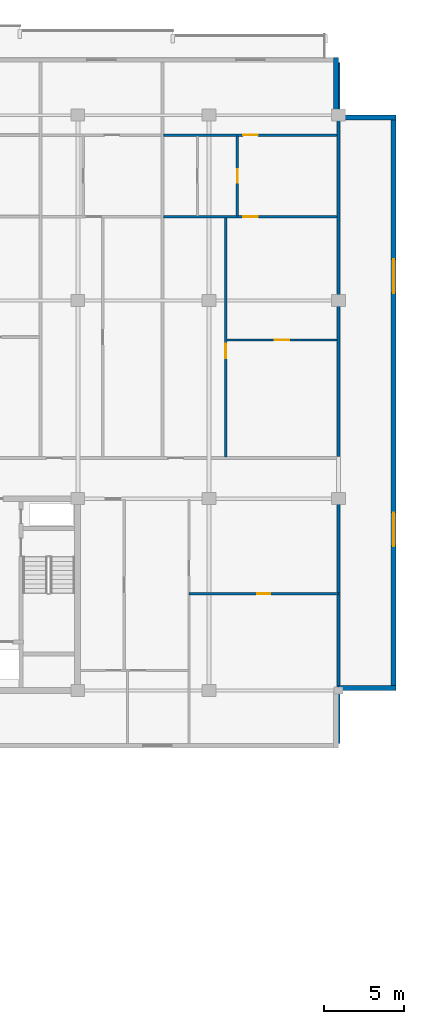
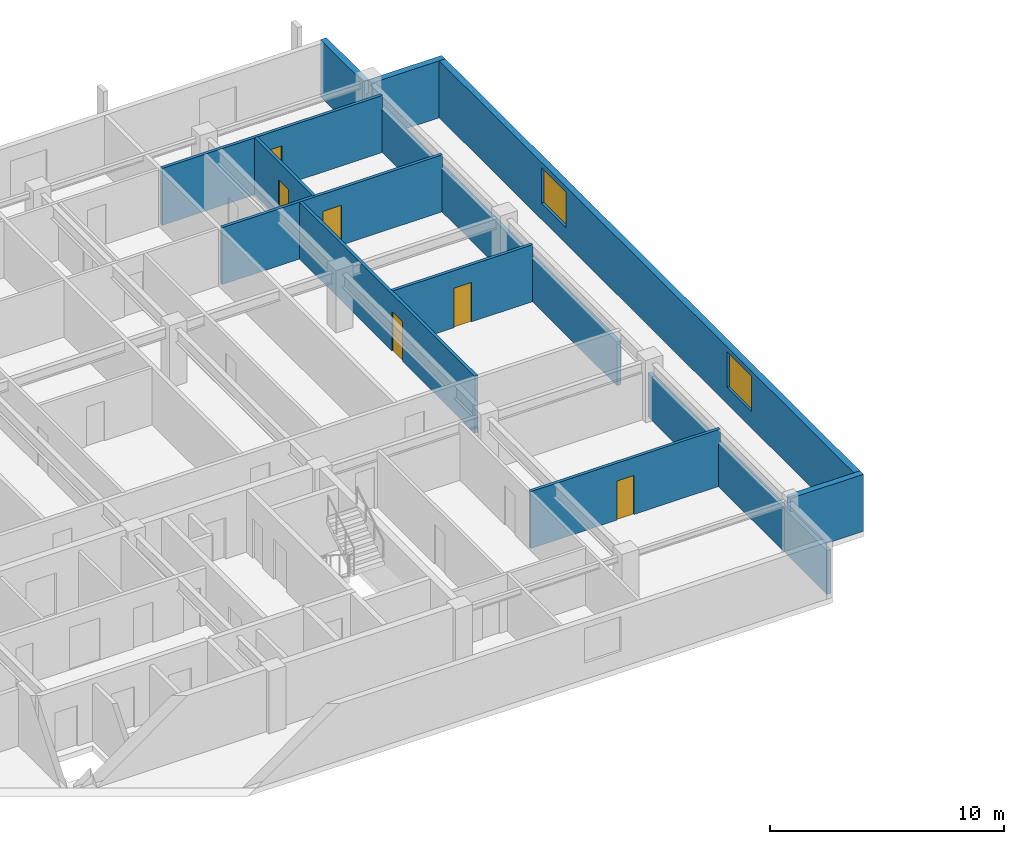
# One storey, part 15 of 21: 12 walls, 6 doors, 2 windows, 8 openings.
"""IFC4 building model written with IfcOpenShell, lengths in metres."""

from ifc_helpers import new_model, si_unit, direction, frame, frame_2d, origin, place, context, subcontext, project, spatial, rectangle, extrude, material, layer, layer_set, type_object, element, fill, save


model = new_model("IFC4")

# Units and contexts
model_context = context("Model", 3, precision=1e-05, world=origin(), true_north=direction((0.0, 1.0)))
body_context = subcontext(model_context, "Body", "Model", "MODEL_VIEW")
ifc_project = project(units=[si_unit("LENGTHUNIT", "METRE"), si_unit("AREAUNIT", "SQUARE_METRE"), si_unit("VOLUMEUNIT", "CUBIC_METRE"), si_unit("PLANEANGLEUNIT", "RADIAN"), si_unit("MASSUNIT", "GRAM", prefix="KILO")], contexts=[model_context])

# Site, building, storey
site_placement = place(None, origin())
site = spatial("IfcSite", under=ifc_project, at=site_placement, CompositionType="ELEMENT")
building_placement = place(site_placement, origin())
building = spatial("IfcBuilding", under=site, at=building_placement, Name="Korimba Cascade Residences", CompositionType="ELEMENT")
storey_placement = place(building_placement, frame((0.0, 0.0, 171.85009765625)))
storey = spatial("IfcBuildingStorey", under=building, at=storey_placement, Name="L49", CompositionType="ELEMENT", Elevation=171.85009765625)

# Wall
ifc_material_1 = material(Name="Precast concrete C40/50", Category="concrete")
ifc_layer_1 = layer(ifc_material_1, 0.300048828125)
ifc_layer_set_1 = layer_set([ifc_layer_1], Name="Precast concrete C40/50")
wall_type_1 = type_object("IfcWallType", Name="EW-STONE-300", PredefinedType="STANDARD", material=ifc_layer_set_1)
wall_1_placement = place(storey_placement, frame((128.39990234375, 55.35009765625, 0.0), z_axis=(0.0, 0.0, 1.0), x_axis=(1.0, 0.0, 0.0)))
element("IfcWall", 1, at=wall_1_placement, inside=storey, type_object=wall_type_1, Name="L49 T1 Perimeter Stone Wall E02", PredefinedType="STANDARD", context=body_context, shape_type="SweptSolid", body=[
    extrude(rectangle(XDim=3.60009765625, YDim=0.300048828125, at=frame_2d((1.800048828125, 0.0))), origin(), (0.0, 0.0, 1.0), 2.969970703125),
])

# Wall, openings, windows
wall_2_placement = place(storey_placement, frame((131.85009765625, 55.199951171875, 0.0), z_axis=(0.0, 0.0, 1.0), x_axis=(0.0, 1.0, 0.0)))
wall_2 = element("IfcWall", 2, at=wall_2_placement, inside=storey, type_object=wall_type_1, Name="L49 T1 Perimeter Stone Wall E03", PredefinedType="STANDARD", context=body_context, shape_type="SweptSolid", body=[
    extrude(rectangle(XDim=36.0, YDim=0.300048828125, at=frame_2d((18.0, 0.0))), origin(), (0.0, 0.0, 1.0), 2.969970703125),
])
opening_1_placement = place(wall_2_placement, frame((9.030029296875, 0.0, 0.85009765625)))
opening_1 = element("IfcOpeningElement", 3, at=opening_1_placement, cuts=wall_2, Name="Opening W-03", PredefinedType="OPENING", context=body_context, shape_type="SweptSolid", body=[
    extrude(rectangle(XDim=2.10009765625, YDim=1.85009765625, at=frame_2d((1.050048828125, 0.925048828125))), frame((0.0, 0.16015625, 0.0), z_axis=(0.0, -1.0, 0.0), x_axis=(1.0, 0.0, 0.0)), (0.0, 0.0, 1.0), 0.320068359375),
])
opening_2_placement = place(wall_2_placement, frame((24.8701171875, 0.0, 0.85009765625)))
opening_2 = element("IfcOpeningElement", 4, at=opening_2_placement, cuts=wall_2, Name="Opening W-03", PredefinedType="OPENING", context=body_context, shape_type="SweptSolid", body=[
    extrude(rectangle(XDim=2.10009765625, YDim=1.85009765625, at=frame_2d((1.050048828125, 0.925048828125))), frame((0.0, 0.16015625, 0.0), z_axis=(0.0, -1.0, 0.0), x_axis=(1.0, 0.0, 0.0)), (0.0, 0.0, 1.0), 0.320068359375),
])
ifc_material_2 = material(Name="Double-Glazed Aluminium Window", Category="aluminium")
window_type = type_object("IfcWindowType", Name="WIN-CRN-2100", PartitioningType="DOUBLE_PANEL_HORIZONTAL", PredefinedType="WINDOW", material=ifc_material_2)
window_1_placement = place(opening_1_placement, origin())
window_1 = element("IfcWindow", 5, at=window_1_placement, inside=storey, type_object=window_type, Name="L49 T1 End View Window 3.1", OverallHeight=1.85009765625, OverallWidth=2.10009765625, PartitioningType="DOUBLE_PANEL_HORIZONTAL", PredefinedType="WINDOW", context=body_context, shape_type="SweptSolid", body=[
    extrude(rectangle(XDim=2.10009765625, YDim=1.85009765625, at=frame_2d((1.050048828125, 0.925048828125))), frame((0.0, 0.030029296875, 0.0), z_axis=(0.0, -1.0, 0.0), x_axis=(1.0, 0.0, 0.0)), (0.0, 0.0, 1.0), 0.06005859375),
])
fill(opening_1, window_1)
window_2_placement = place(opening_2_placement, origin())
window_2 = element("IfcWindow", 6, at=window_2_placement, inside=storey, type_object=window_type, Name="L49 T1 End View Window 3.2", OverallHeight=1.85009765625, OverallWidth=2.10009765625, PartitioningType="DOUBLE_PANEL_HORIZONTAL", PredefinedType="WINDOW", context=body_context, shape_type="SweptSolid", body=[
    extrude(rectangle(XDim=2.10009765625, YDim=1.85009765625, at=frame_2d((1.050048828125, 0.925048828125))), frame((0.0, 0.030029296875, 0.0), z_axis=(0.0, -1.0, 0.0), x_axis=(1.0, 0.0, 0.0)), (0.0, 0.0, 1.0), 0.06005859375),
])
fill(opening_2, window_2)

# Walls
for number, where, z_axis, x_axis, name in (
    (7, (132.0, 91.050048828125, 0.0), (0.0, 0.0, 1.0), (-1.0, 0.0, 0.0), "L49 T1 Perimeter Stone Wall E04"),
    (8, (128.25, 91.199951171875, 0.0), (0.0, 0.0, 1.0), (0.0, 1.0, 0.0), "L49 T1 Perimeter Stone Wall E05"),
):
    element("IfcWall", number, at=place(storey_placement, frame(where, z_axis=z_axis, x_axis=x_axis)), inside=storey, type_object=wall_type_1, Name=name, PredefinedType="STANDARD", context=body_context, shape_type="SweptSolid", body=[
        extrude(rectangle(XDim=3.60009765625, YDim=0.300048828125, at=frame_2d((1.800048828125, 0.0))), origin(), (0.0, 0.0, 1.0), 2.969970703125),
    ])
ifc_layer_2 = layer(ifc_material_1, 0.199951171875)
ifc_layer_set_2 = layer_set([ifc_layer_2], Name="Precast concrete C40/50")
wall_type_2 = type_object("IfcWallType", Name="WAL-IT-200", PredefinedType="PARTITIONING", material=ifc_layer_set_2)
wall_3_placement = place(storey_placement, frame((128.39990234375, 51.89990234375, 0.0), z_axis=(0.0, 0.0, 1.0), x_axis=(0.0, 1.0, 0.0)))
element("IfcWall", 9, at=wall_3_placement, inside=storey, type_object=wall_type_2, Name="L49 Partition Wall WAL-L49-T1-FE-WR", PredefinedType="PARTITIONING", context=body_context, shape_type="SweptSolid", body=[
    extrude(rectangle(XDim=15.300048828125, YDim=0.199951171875, at=frame_2d((7.64990234375, 0.0))), origin(), (0.0, 0.0, 1.0), 2.277099609375),
])
wall_4_placement = place(storey_placement, frame((128.39990234375, 69.830078125, 0.0), z_axis=(0.0, 0.0, 1.0), x_axis=(0.0, 1.0, 0.0)))
element("IfcWall", 10, at=wall_4_placement, inside=storey, type_object=wall_type_2, Name="L49 Partition Wall WAL-L49-T1-BNDWR", PredefinedType="PARTITIONING", context=body_context, shape_type="SweptSolid", body=[
    extrude(rectangle(XDim=24.669921875, YDim=0.199951171875, at=frame_2d((12.3349609375, 0.0))), origin(), (0.0, 0.0, 1.0), 2.277099609375),
])

# Wall, opening, door
ifc_material_3 = material(Name="Insulated Acoustic Stud Partition", Category="gypsum")
ifc_layer_3 = layer(ifc_material_3, 0.14990234375)
ifc_layer_set_3 = layer_set([ifc_layer_3], Name="Insulated Acoustic Stud Partition")
wall_type_3 = type_object("IfcWallType", Name="WAL-PART-150", PredefinedType="PARTITIONING", material=ifc_layer_set_3)
wall_5_placement = place(storey_placement, frame((119.050048828125, 61.25, 0.0), z_axis=(0.0, 0.0, 1.0), x_axis=(1.0, 0.0, 0.0)))
wall_5 = element("IfcWall", 11, at=wall_5_placement, inside=storey, type_object=wall_type_3, Name="L49 Partition Wall WAL-L49-T1-FE-STH", PredefinedType="PARTITIONING", context=body_context, shape_type="SweptSolid", body=[
    extrude(rectangle(XDim=9.349853515625, YDim=0.14990234375, at=frame_2d((4.6748046875, 0.0))), origin(), (0.0, 0.0, 1.0), 2.969970703125),
])
opening_3_placement = place(wall_5_placement, frame((4.2548828125, 0.0, 0.0)))
opening_3 = element("IfcOpeningElement", 12, at=opening_3_placement, cuts=wall_5, Name="Opening D-BT1", PredefinedType="OPENING", context=body_context, shape_type="SweptSolid", body=[
    extrude(rectangle(XDim=0.840087890625, YDim=2.0400390625, at=frame_2d((0.419921875, 1.02001953125))), frame((0.0, 0.0849609375, 0.0), z_axis=(0.0, -1.0, 0.0), x_axis=(1.0, 0.0, 0.0)), (0.0, 0.0, 1.0), 0.169921875),
])
ifc_material_4 = material(Name="Moisture-Resistant Bathroom Timber Door", Category="wood")
door_type_1 = type_object("IfcDoorType", Name="DR-INT-850", OperationType="NOTDEFINED", PredefinedType="DOOR", material=ifc_material_4)
door_1_placement = place(opening_3_placement, origin())
door_1 = element("IfcDoor", 13, at=door_1_placement, inside=storey, type_object=door_type_1, Name="L49-T1-FE Dressing Store Door", OperationType="SINGLE_SWING_LEFT", OverallHeight=2.0400390625, OverallWidth=0.840087890625, PredefinedType="DOOR", context=body_context, shape_type="SweptSolid", body=[
    extrude(rectangle(XDim=0.840087890625, YDim=2.0400390625, at=frame_2d((0.419921875, 1.02001953125))), frame((0.0, 0.02490234375, 0.0), z_axis=(0.0, -1.0, 0.0), x_axis=(1.0, 0.0, 0.0)), (0.0, 0.0, 1.0), 0.050048828125),
])
fill(opening_3, door_1)

wall_6_placement = place(storey_placement, frame((121.413818359375, 77.1298828125, 0.0), z_axis=(0.0, 0.0, 1.0), x_axis=(1.0, 0.0, 0.0)))
wall_6 = element("IfcWall", 14, at=wall_6_placement, inside=storey, type_object=wall_type_3, Name="L49 Partition Wall WAL-L49-T1-U06-FMH", PredefinedType="PARTITIONING", context=body_context, shape_type="SweptSolid", body=[
    extrude(rectangle(XDim=6.90625, YDim=0.14990234375, at=frame_2d((3.453125, 0.0))), origin(), (0.0, 0.0, 1.0), 2.969970703125),
])
opening_4_placement = place(wall_6_placement, frame((3.012939453125, 0.0, 0.0)))
opening_4 = element("IfcOpeningElement", 15, at=opening_4_placement, cuts=wall_6, Name="Opening D-IN2", PredefinedType="OPENING", context=body_context, shape_type="SweptSolid", body=[
    extrude(rectangle(XDim=0.8798828125, YDim=2.06005859375, at=frame_2d((0.43994140625, 1.030029296875))), frame((0.0, 0.0849609375, 0.0), z_axis=(0.0, -1.0, 0.0), x_axis=(1.0, 0.0, 0.0)), (0.0, 0.0, 1.0), 0.169921875),
])
ifc_material_5 = material(Name="Acoustic Timber Bedroom Door", Category="wood")
door_type_2 = type_object("IfcDoorType", Name="DR-INT-880", OperationType="NOTDEFINED", PredefinedType="DOOR", material=ifc_material_5)
door_2_placement = place(opening_4_placement, origin())
door_2 = element("IfcDoor", 16, at=door_2_placement, inside=storey, type_object=door_type_2, Name="L49-T1-U06 Library Salon Door", OperationType="SINGLE_SWING_RIGHT", OverallHeight=2.06005859375, OverallWidth=0.8798828125, PredefinedType="DOOR", context=body_context, shape_type="SweptSolid", body=[
    extrude(rectangle(XDim=0.8798828125, YDim=2.06005859375, at=frame_2d((0.43994140625, 1.030029296875))), frame((0.0, 0.02490234375, 0.0), z_axis=(0.0, -1.0, 0.0), x_axis=(1.0, 0.0, 0.0)), (0.0, 0.0, 1.0), 0.050048828125),
])
fill(opening_4, door_2)

wall_7_placement = place(storey_placement, frame((121.35400390625, 69.81005859375, 0.0), z_axis=(0.0, 0.0, 1.0), x_axis=(0.0, 1.0, 0.0)))
wall_7 = element("IfcWall", 17, at=wall_7_placement, inside=storey, type_object=wall_type_3, Name="L49 Partition Wall WAL-L49-T1-U06-FV", PredefinedType="PARTITIONING", context=body_context, shape_type="SweptSolid", body=[
    extrude(rectangle(XDim=15.0, YDim=0.14990234375, at=frame_2d((7.5, 0.0))), origin(), (0.0, 0.0, 1.0), 2.969970703125),
])
opening_5_placement = place(wall_7_placement, frame((6.18994140625, 0.0, 0.0)))
opening_5 = element("IfcOpeningElement", 18, at=opening_5_placement, cuts=wall_7, Name="Opening D-IN2", PredefinedType="OPENING", context=body_context, shape_type="SweptSolid", body=[
    extrude(rectangle(XDim=0.8798828125, YDim=2.06005859375, at=frame_2d((0.43994140625, 1.030029296875))), frame((0.0, 0.0849609375, 0.0), z_axis=(0.0, -1.0, 0.0), x_axis=(1.0, 0.0, 0.0)), (0.0, 0.0, 1.0), 0.169921875),
])
door_3_placement = place(opening_5_placement, origin())
door_3 = element("IfcDoor", 19, at=door_3_placement, inside=storey, type_object=door_type_2, Name="L49-T1-U06 Media Lounge Door", OperationType="SINGLE_SWING_LEFT", OverallHeight=2.06005859375, OverallWidth=0.8798828125, PredefinedType="DOOR", context=body_context, shape_type="SweptSolid", body=[
    extrude(rectangle(XDim=0.8798828125, YDim=2.06005859375, at=frame_2d((0.43994140625, 1.030029296875))), frame((0.0, 0.02490234375, 0.0), z_axis=(0.0, -1.0, 0.0), x_axis=(1.0, 0.0, 0.0)), (0.0, 0.0, 1.0), 0.050048828125),
])
fill(opening_5, door_3)

wall_8_placement = place(storey_placement, frame((122.080078125, 84.889892578125, 0.0), z_axis=(0.0, 0.0, 1.0), x_axis=(0.0, 1.0, 0.0)))
wall_8 = element("IfcWall", 20, at=wall_8_placement, inside=storey, type_object=wall_type_3, Name="L49 Partition Wall WAL-L49-T1-U06-BM", PredefinedType="PARTITIONING", context=body_context, shape_type="SweptSolid", body=[
    extrude(rectangle(XDim=5.0, YDim=0.14990234375, at=frame_2d((2.5, 0.0))), origin(), (0.0, 0.0, 1.0), 2.969970703125),
])
opening_6_placement = place(wall_8_placement, frame((2.080078125, 0.0, 0.0)))
opening_6 = element("IfcOpeningElement", 21, at=opening_6_placement, cuts=wall_8, Name="Opening D-BT1", PredefinedType="OPENING", context=body_context, shape_type="SweptSolid", body=[
    extrude(rectangle(XDim=0.840087890625, YDim=2.0400390625, at=frame_2d((0.419921875, 1.02001953125))), frame((0.0, 0.0849609375, 0.0), z_axis=(0.0, -1.0, 0.0), x_axis=(1.0, 0.0, 0.0)), (0.0, 0.0, 1.0), 0.169921875),
])
door_4_placement = place(opening_6_placement, origin())
door_4 = element("IfcDoor", 22, at=door_4_placement, inside=storey, type_object=door_type_1, Name="L49-T1-U06 Bathroom Door", OperationType="SINGLE_SWING_LEFT", OverallHeight=2.0400390625, OverallWidth=0.840087890625, PredefinedType="DOOR", context=body_context, shape_type="SweptSolid", body=[
    extrude(rectangle(XDim=0.840087890625, YDim=2.0400390625, at=frame_2d((0.419921875, 1.02001953125))), frame((0.0, 0.02490234375, 0.0), z_axis=(0.0, -1.0, 0.0), x_axis=(1.0, 0.0, 0.0)), (0.0, 0.0, 1.0), 0.050048828125),
])
fill(opening_6, door_4)

wall_9_placement = place(storey_placement, frame((117.4638671875, 84.85009765625, 0.0), z_axis=(0.0, 0.0, 1.0), x_axis=(1.0, 0.0, 0.0)))
wall_9 = element("IfcWall", 23, at=wall_9_placement, inside=storey, type_object=wall_type_3, Name="L49 Partition Wall WAL-L49-T1-U06-MW", PredefinedType="PARTITIONING", context=body_context, shape_type="SweptSolid", body=[
    extrude(rectangle(XDim=10.856201171875, YDim=0.14990234375, at=frame_2d((5.42822265625, 0.0))), origin(), (0.0, 0.0, 1.0), 2.969970703125),
])
opening_7_placement = place(wall_9_placement, frame((4.968017578125, 0.0, 0.0)))
opening_7 = element("IfcOpeningElement", 24, at=opening_7_placement, cuts=wall_9, Name="Opening D-IN1", PredefinedType="OPENING", context=body_context, shape_type="SweptSolid", body=[
    extrude(rectangle(XDim=0.919921875, YDim=2.080078125, at=frame_2d((0.4599609375, 1.0400390625))), frame((0.0, 0.0849609375, 0.0), z_axis=(0.0, -1.0, 0.0), x_axis=(1.0, 0.0, 0.0)), (0.0, 0.0, 1.0), 0.169921875),
])
ifc_material_6 = material(Name="Acoustic Timber Living Door", Category="wood")
door_type_3 = type_object("IfcDoorType", Name="DR-INT-920", OperationType="NOTDEFINED", PredefinedType="DOOR", material=ifc_material_6)
door_5_placement = place(opening_7_placement, origin())
door_5 = element("IfcDoor", 25, at=door_5_placement, inside=storey, type_object=door_type_3, Name="L49-T1-U06 Studio Kitchen Door", OperationType="SINGLE_SWING_RIGHT", OverallHeight=2.080078125, OverallWidth=0.919921875, PredefinedType="DOOR", context=body_context, shape_type="SweptSolid", body=[
    extrude(rectangle(XDim=0.919921875, YDim=2.080078125, at=frame_2d((0.4599609375, 1.0400390625))), frame((0.0, 0.02490234375, 0.0), z_axis=(0.0, -1.0, 0.0), x_axis=(1.0, 0.0, 0.0)), (0.0, 0.0, 1.0), 0.050048828125),
])
fill(opening_7, door_5)

wall_10_placement = place(storey_placement, frame((117.4638671875, 89.949951171875, 0.0), z_axis=(0.0, 0.0, 1.0), x_axis=(1.0, 0.0, 0.0)))
wall_10 = element("IfcWall", 26, at=wall_10_placement, inside=storey, type_object=wall_type_3, Name="L49 Partition Wall WAL-L49-T1-U06-HZ", PredefinedType="PARTITIONING", context=body_context, shape_type="SweptSolid", body=[
    extrude(rectangle(XDim=10.856201171875, YDim=0.14990234375, at=frame_2d((5.42822265625, 0.0))), origin(), (0.0, 0.0, 1.0), 2.969970703125),
])
opening_8_placement = place(wall_10_placement, frame((4.968017578125, 0.0, 0.0)))
opening_8 = element("IfcOpeningElement", 27, at=opening_8_placement, cuts=wall_10, Name="Opening D-IN1", PredefinedType="OPENING", context=body_context, shape_type="SweptSolid", body=[
    extrude(rectangle(XDim=0.919921875, YDim=2.080078125, at=frame_2d((0.4599609375, 1.0400390625))), frame((0.0, 0.0849609375, 0.0), z_axis=(0.0, -1.0, 0.0), x_axis=(1.0, 0.0, 0.0)), (0.0, 0.0, 1.0), 0.169921875),
])
door_6_placement = place(opening_8_placement, origin())
door_6 = element("IfcDoor", 28, at=door_6_placement, inside=storey, type_object=door_type_3, Name="L49-T1-U06 Studio Door", OperationType="SINGLE_SWING_LEFT", OverallHeight=2.080078125, OverallWidth=0.919921875, PredefinedType="DOOR", context=body_context, shape_type="SweptSolid", body=[
    extrude(rectangle(XDim=0.919921875, YDim=2.080078125, at=frame_2d((0.4599609375, 1.0400390625))), frame((0.0, 0.02490234375, 0.0), z_axis=(0.0, -1.0, 0.0), x_axis=(1.0, 0.0, 0.0)), (0.0, 0.0, 1.0), 0.050048828125),
])
fill(opening_8, door_6)

save(model, "model.ifc")
